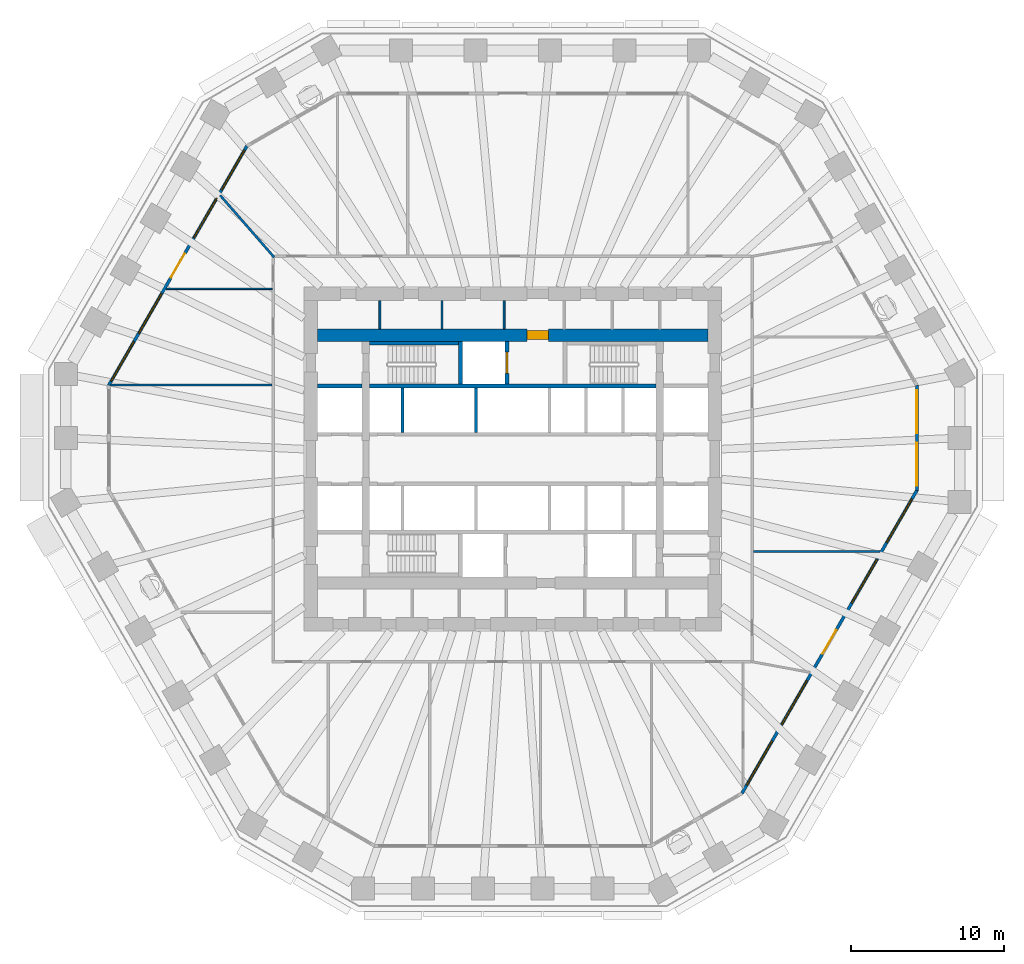
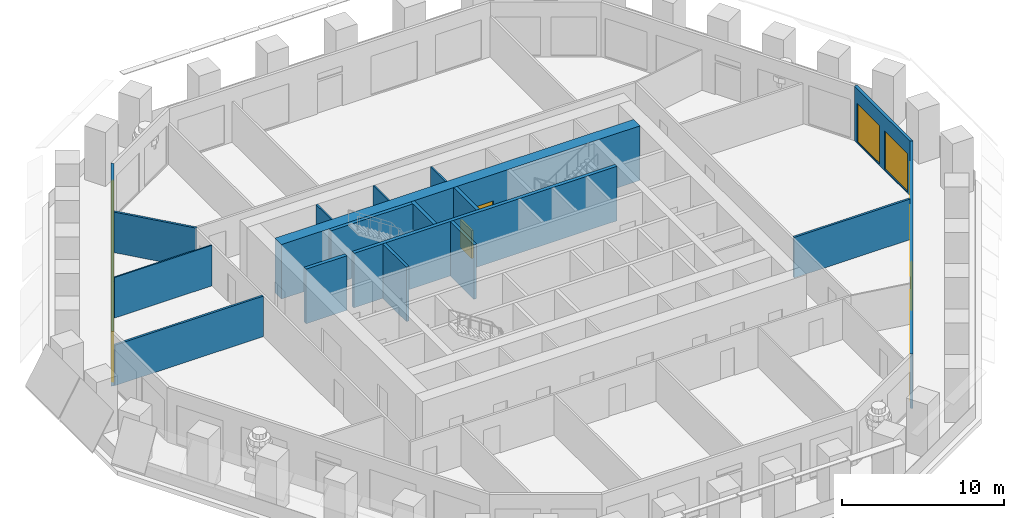
# One storey, part 6 of 12: 18 walls, 12 windows, 4 doors, 16 openings.
"""IFC4 building model written with IfcOpenShell, lengths in metres."""

from ifc_helpers import new_model, si_unit, direction, frame, frame_2d, origin, place, context, subcontext, project, spatial, polyline, rectangle, outline, extrude, material, layer, layer_set, type_object, element, fill, save


model = new_model("IFC4")

# Units and contexts
model_context = context("Model", 3, precision=1e-05, world=origin(), true_north=direction((0.0, 1.0)))
body_context = subcontext(model_context, "Body", "Model", "MODEL_VIEW")
ifc_project = project(units=[si_unit("LENGTHUNIT", "METRE"), si_unit("AREAUNIT", "SQUARE_METRE"), si_unit("VOLUMEUNIT", "CUBIC_METRE"), si_unit("PLANEANGLEUNIT", "RADIAN"), si_unit("MASSUNIT", "GRAM", prefix="KILO")], contexts=[model_context])

# Site, building, storey
site_placement = place(None, origin())
site = spatial("IfcSite", under=ifc_project, at=site_placement, CompositionType="ELEMENT")
building_placement = place(site_placement, origin())
building = spatial("IfcBuilding", under=site, at=building_placement, Name="Frailejon Research Tower", CompositionType="ELEMENT")
storey_placement = place(building_placement, frame((0.0, 0.0, 63.0)))
storey = spatial("IfcBuildingStorey", under=building, at=storey_placement, Name="L14", CompositionType="ELEMENT", Elevation=63.0)

# Walls
ifc_material_1 = material(Name="Plasterboard on steel studs", Category="steel")
ifc_layer_1 = layer(ifc_material_1, 0.125)
ifc_layer_set_1 = layer_set([ifc_layer_1], Name="Core partition 125")
wall_type_1 = type_object("IfcWallType", Name="Core partition 125", PredefinedType="PARTITIONING", material=ifc_layer_set_1)
for number, where, z_axis, x_axis, name in (
    (1, (-8.6875, 8.5, 0.0), (0.0, 0.0, 1.0), (0.0, 1.0, 0.0), "Core partition"),
    (2, (-4.625, 8.5, 0.0), (0.0, 0.0, 1.0), (0.0, 1.0, 0.0), "Core partition"),
    (3, (-0.5625, 8.5, 0.0), (0.0, 0.0, 1.0), (0.0, 1.0, 0.0), "Core partition"),
):
    element("IfcWall", number, at=place(storey_placement, frame(where, z_axis=z_axis, x_axis=x_axis)), inside=storey, type_object=wall_type_1, Name=name, PredefinedType="PARTITIONING", context=body_context, shape_type="SweptSolid", body=[
        extrude(rectangle(XDim=1.85009765625, YDim=0.125, at=frame_2d((0.925048828125, 0.0))), origin(), (0.0, 0.0, 1.0), 4.10009765625),
    ])

# Wall, opening, door
ifc_material_2 = material(Name="Concrete C70/85", Category="concrete")
ifc_layer_2 = layer(ifc_material_2, 0.800048828125)
ifc_layer_set_2 = layer_set([ifc_layer_2], Name="Core shear wall 800 C70/85")
wall_type_2 = type_object("IfcWallType", Name="Core shear wall 800 C70/85", PredefinedType="SHEAR", material=ifc_layer_set_2)
wall_1_placement = place(storey_placement, frame((-12.75, 8.10009765625, 0.0), z_axis=(0.0, 0.0, 1.0), x_axis=(1.0, 0.0, 0.0)))
wall_1 = element("IfcWall", 4, at=wall_1_placement, inside=storey, type_object=wall_type_2, Name="Core shear wall", PredefinedType="SHEAR", context=body_context, shape_type="SweptSolid", body=[
    extrude(rectangle(XDim=25.5, YDim=0.800048828125, at=frame_2d((12.75, 0.0))), origin(), (0.0, 0.0, 1.0), 4.10009765625),
])
opening_1_placement = place(wall_1_placement, frame((13.675048828125, 0.0, 0.0)))
opening_1 = element("IfcOpeningElement", 5, at=opening_1_placement, cuts=wall_1, Name="Opening D9", PredefinedType="OPENING", context=body_context, shape_type="SweptSolid", body=[
    extrude(rectangle(XDim=1.39990234375, YDim=2.10009765625, at=frame_2d((0.699951171875, 1.050048828125))), frame((0.0, 0.409912109375, 0.0), z_axis=(0.0, -1.0, 0.0), x_axis=(1.0, 0.0, 0.0)), (0.0, 0.0, 1.0), 0.820068359375),
])
ifc_material_3 = material(Name="Steel", Category="steel")
door_type_1 = type_object("IfcDoorType", Name="Goods lobby door", OperationType="DOUBLE_DOOR_SINGLE_SWING", PredefinedType="DOOR", material=ifc_material_3)
door_1_placement = place(opening_1_placement, origin())
door_1 = element("IfcDoor", 6, at=door_1_placement, inside=storey, type_object=door_type_1, Name="Goods lobby door", OperationType="DOUBLE_DOOR_SINGLE_SWING", OverallHeight=2.10009765625, OverallWidth=1.39990234375, PredefinedType="DOOR", context=body_context, shape_type="SweptSolid", body=[
    extrude(rectangle(XDim=1.39990234375, YDim=2.10009765625, at=frame_2d((0.699951171875, 1.050048828125))), frame((0.0, 0.300048828125, 0.0), z_axis=(0.0, -1.0, 0.0), x_axis=(1.0, 0.0, 0.0)), (0.0, 0.0, 1.0), 0.60009765625),
])
fill(opening_1, door_1)

# Walls
ifc_material_4 = material(Name="Gypsum board and masonry partition", Category="masonry")
ifc_layer_3 = layer(ifc_material_4, 0.14990234375)
ifc_layer_set_3 = layer_set([ifc_layer_3], Name="Laboratory partition, blockwork 150")
wall_type_3 = type_object("IfcWallType", Name="Laboratory partition, blockwork 150", PredefinedType="PARTITIONING", material=ifc_layer_set_3)
wall_2_placement = place(storey_placement, frame((15.72509765625, -6.048828125, 0.0), z_axis=(0.0, 0.0, 1.0), x_axis=(1.0, 0.0, 0.0)))
element("IfcWall", 7, at=wall_2_placement, inside=storey, type_object=wall_type_3, Name="T:IW:L14:006", PredefinedType="PARTITIONING", context=body_context, shape_type="SweptSolid", body=[
    extrude(rectangle(XDim=8.264404296875, YDim=0.14990234375, at=frame_2d((4.13232421875, 0.0))), origin(), (0.0, 0.0, 1.0), 3.050048828125),
])
wall_3_placement = place(storey_placement, frame((-19.125732421875, 17.23876953125, 0.0), z_axis=(0.0, 0.0, 1.0), x_axis=(0.65698603945, -0.753902741717, 0.0)))
element("IfcWall", 8, at=wall_3_placement, inside=storey, type_object=wall_type_3, Name="T:IW:L14:010", PredefinedType="PARTITIONING", context=body_context, shape_type="SweptSolid", body=[
    extrude(rectangle(XDim=5.36572265625, YDim=0.14990234375, at=frame_2d((2.682861328125, 0.0))), origin(), (0.0, 0.0, 1.0), 3.050048828125),
])
wall_4_placement = place(storey_placement, frame((-26.2802734375, 4.846923828125, 0.0), z_axis=(0.0, 0.0, 1.0), x_axis=(1.0, 0.0, 0.0)))
element("IfcWall", 9, at=wall_4_placement, inside=storey, type_object=wall_type_3, Name="T:IW:L14:011", PredefinedType="PARTITIONING", context=body_context, shape_type="SweptSolid", body=[
    extrude(rectangle(XDim=10.55517578125, YDim=0.14990234375, at=frame_2d((5.277587890625, 0.0))), origin(), (0.0, 0.0, 1.0), 3.050048828125),
])
ifc_material_5 = material(Name="Gypsum board and masonry partition", Category="masonry")
ifc_layer_4 = layer(ifc_material_5, 0.10009765625)
ifc_layer_set_4 = layer_set([ifc_layer_4], Name="Partition, gypsum on steel studs 100")
wall_type_4 = type_object("IfcWallType", Name="Partition, gypsum on steel studs 100", PredefinedType="PARTITIONING", material=ifc_layer_set_4)
wall_5_placement = place(storey_placement, frame((-22.656982421875, 11.12255859375, 0.0), z_axis=(0.0, 0.0, 1.0), x_axis=(1.0, 0.0, 0.0)))
element("IfcWall", 10, at=wall_5_placement, inside=storey, type_object=wall_type_4, Name="T:IW:L14:017", PredefinedType="PARTITIONING", context=body_context, shape_type="SweptSolid", body=[
    extrude(rectangle(XDim=6.931884765625, YDim=0.10009765625, at=frame_2d((3.4658203125, 0.0))), origin(), (0.0, 0.0, 1.0), 3.050048828125),
])
ifc_material_6 = material(Name="Concrete C70/85", Category="concrete")
ifc_layer_5 = layer(ifc_material_6, 0.199951171875)
ifc_layer_set_5 = layer_set([ifc_layer_5], Name="Shaft wall 200 C70/85")
wall_type_5 = type_object("IfcWallType", Name="Shaft wall 200 C70/85", PredefinedType="SOLIDWALL", material=ifc_layer_set_5)
for number, where, z_axis, x_axis, name in (
    (11, (-7.199951171875, 1.75, 0.0), (0.0, 0.0, 1.0), (0.0, 1.0, 0.0), "Shaft wall"),
    (12, (-2.39990234375, 1.75, 0.0), (0.0, 0.0, 1.0), (0.0, 1.0, 0.0), "Shaft wall"),
):
    element("IfcWall", number, at=place(storey_placement, frame(where, z_axis=z_axis, x_axis=x_axis)), inside=storey, type_object=wall_type_5, Name=name, PredefinedType="SOLIDWALL", context=body_context, shape_type="SweptSolid", body=[
        extrude(rectangle(XDim=2.89990234375, YDim=0.199951171875, at=frame_2d((1.449951171875, 0.0))), origin(), (0.0, 0.0, 1.0), 4.10009765625),
    ])
ifc_material_7 = material(Name="Concrete C70/85", Category="concrete")
ifc_layer_6 = layer(ifc_material_7, 0.25)
ifc_layer_set_6 = layer_set([ifc_layer_6], Name="Shaft wall 250 C70/85")
wall_type_6 = type_object("IfcWallType", Name="Shaft wall 250 C70/85", PredefinedType="SOLIDWALL", material=ifc_layer_set_6)
wall_6_placement = place(storey_placement, frame((-12.75, 4.77490234375, 0.0), z_axis=(0.0, 0.0, 1.0), x_axis=(1.0, 0.0, 0.0)))
element("IfcWall", 13, at=wall_6_placement, inside=storey, type_object=wall_type_6, Name="Shaft wall", PredefinedType="SOLIDWALL", context=body_context, shape_type="SweptSolid", body=[
    extrude(rectangle(XDim=2.89990234375, YDim=0.25, at=frame_2d((1.449951171875, 0.0))), origin(), (0.0, 0.0, 1.0), 4.10009765625),
])
wall_7_placement = place(storey_placement, frame((-9.35009765625, 4.77490234375, 0.0), z_axis=(0.0, 0.0, 1.0), x_axis=(1.0, 0.0, 0.0)))
element("IfcWall", 14, at=wall_7_placement, inside=storey, type_object=wall_type_6, Name="Shaft wall", PredefinedType="SOLIDWALL", context=body_context, shape_type="SweptSolid", body=[
    extrude(rectangle(XDim=18.7001953125, YDim=0.25, at=frame_2d((9.35009765625, 0.0))), origin(), (0.0, 0.0, 1.0), 4.10009765625),
])
wall_8_placement = place(storey_placement, frame((-9.35009765625, 7.574951171875, 0.0), z_axis=(0.0, 0.0, 1.0), x_axis=(1.0, 0.0, 0.0)))
element("IfcWall", 15, at=wall_8_placement, inside=storey, type_object=wall_type_6, Name="Shaft wall", PredefinedType="SOLIDWALL", context=body_context, shape_type="SweptSolid", body=[
    extrude(rectangle(XDim=5.800048828125, YDim=0.25, at=frame_2d((2.89990234375, 0.0))), origin(), (0.0, 0.0, 1.0), 4.10009765625),
])
wall_9_placement = place(storey_placement, frame((-3.425048828125, 4.89990234375, 0.0), z_axis=(0.0, 0.0, 1.0), x_axis=(0.0, 1.0, 0.0)))
element("IfcWall", 16, at=wall_9_placement, inside=storey, type_object=wall_type_6, Name="Shaft wall", PredefinedType="SOLIDWALL", context=body_context, shape_type="SweptSolid", body=[
    extrude(rectangle(XDim=2.800048828125, YDim=0.25, at=frame_2d((1.39990234375, 0.0))), origin(), (0.0, 0.0, 1.0), 4.10009765625),
])

# Wall, opening, door
wall_10_placement = place(storey_placement, frame((-0.375, 4.89990234375, 0.0), z_axis=(0.0, 0.0, 1.0), x_axis=(0.0, 1.0, 0.0)))
wall_10 = element("IfcWall", 17, at=wall_10_placement, inside=storey, type_object=wall_type_6, Name="Shaft wall", PredefinedType="SOLIDWALL", context=body_context, shape_type="SweptSolid", body=[
    extrude(rectangle(XDim=2.800048828125, YDim=0.25, at=frame_2d((1.39990234375, 0.0))), origin(), (0.0, 0.0, 1.0), 4.10009765625),
])
opening_2_placement = place(wall_10_placement, frame((0.699951171875, 0.0, 0.0)))
opening_2 = element("IfcOpeningElement", 18, at=opening_2_placement, cuts=wall_10, Name="Opening LD2", PredefinedType="OPENING", context=body_context, shape_type="SweptSolid", body=[
    extrude(rectangle(XDim=1.39990234375, YDim=2.10009765625, at=frame_2d((0.699951171875, 1.050048828125))), frame((0.0, 0.135009765625, 0.0), z_axis=(0.0, -1.0, 0.0), x_axis=(1.0, 0.0, 0.0)), (0.0, 0.0, 1.0), 0.27001953125),
])
ifc_material_8 = material(Name="Stainless steel", Category="steel")
door_type_2 = type_object("IfcDoorType", Name="Goods landing door", OperationType="DOUBLE_DOOR_SLIDING", PredefinedType="DOOR", material=ifc_material_8)
door_2_placement = place(opening_2_placement, origin())
door_2 = element("IfcDoor", 19, at=door_2_placement, inside=storey, type_object=door_type_2, Name="Lift landing door", OperationType="DOUBLE_DOOR_SLIDING", OverallHeight=2.10009765625, OverallWidth=1.39990234375, PredefinedType="DOOR", context=body_context, shape_type="SweptSolid", body=[
    extrude(rectangle(XDim=1.39990234375, YDim=2.10009765625, at=frame_2d((0.699951171875, 1.050048828125))), frame((0.0, 0.074951171875, 0.0), z_axis=(0.0, -1.0, 0.0), x_axis=(1.0, 0.0, 0.0)), (0.0, 0.0, 1.0), 0.14990234375),
])
fill(opening_2, door_2)

# Wall, openings, windows
ifc_material_9 = material(Name="Concrete C40/50 precast window wall panel", Category="concrete")
ifc_layer_7 = layer(ifc_material_9, 0.199951171875)
ifc_layer_set_7 = layer_set([ifc_layer_7], Name="Window wall 200")
wall_type_7 = type_object("IfcWallType", Name="Window wall 200", PredefinedType="SOLIDWALL", material=ifc_layer_set_7)
wall_11_placement = place(storey_placement, frame((26.4111328125, -2.0546875, 0.0), z_axis=(0.0, 0.0, 1.0), x_axis=(0.0, 1.0, 0.0)))
wall_11 = element("IfcWall", 20, at=wall_11_placement, inside=storey, type_object=wall_type_7, Name="Exterior wall L14", PredefinedType="SOLIDWALL", context=body_context, shape_type="SweptSolid", body=[
    extrude(outline(polyline([(-0.02685546875, -0.10009765625), (1.1279296875, -0.10009765625), (2.28271484375, -0.10009765625), (3.4375, -0.10009765625), (4.592041015625, -0.10009765625), (5.746826171875, -0.10009765625), (6.901611328125, -0.10009765625), (6.847900390625, 0.10009765625), (5.7109375, 0.10009765625), (4.57421875, 0.10009765625), (3.4375, 0.10009765625), (2.300537109375, 0.10009765625), (1.16357421875, 0.10009765625), (0.02685546875, 0.10009765625), (-0.02685546875, -0.10009765625)])), origin(), (0.0, 0.0, 1.0), 4.10009765625),
])
opening_3_placement = place(wall_11_placement, frame((0.318603515625, 0.0, 0.10009765625)))
opening_3 = element("IfcOpeningElement", 21, at=opening_3_placement, cuts=wall_11, Name="Opening W3", PredefinedType="OPENING", context=body_context, shape_type="SweptSolid", body=[
    extrude(rectangle(XDim=2.800048828125, YDim=2.89990234375, at=frame_2d((1.39990234375, 1.449951171875))), frame((0.0, 0.10986328125, 0.0), z_axis=(0.0, -1.0, 0.0), x_axis=(1.0, 0.0, 0.0)), (0.0, 0.0, 1.0), 0.219970703125),
])
opening_4_placement = place(wall_11_placement, frame((3.756103515625, 0.0, 0.10009765625)))
opening_4 = element("IfcOpeningElement", 22, at=opening_4_placement, cuts=wall_11, Name="Opening W3", PredefinedType="OPENING", context=body_context, shape_type="SweptSolid", body=[
    extrude(rectangle(XDim=2.800048828125, YDim=2.89990234375, at=frame_2d((1.39990234375, 1.449951171875))), frame((0.0, 0.10986328125, 0.0), z_axis=(0.0, -1.0, 0.0), x_axis=(1.0, 0.0, 0.0)), (0.0, 0.0, 1.0), 0.219970703125),
])
ifc_material_10 = material(Name="Aluminium framed double glazing", Category="aluminium")
window_type_1 = type_object("IfcWindowType", Name="Window 2800x2900", PartitioningType="SINGLE_PANEL", PredefinedType="WINDOW", material=ifc_material_10)
window_1_placement = place(opening_3_placement, origin())
window_1 = element("IfcWindow", 23, at=window_1_placement, inside=storey, type_object=window_type_1, Name="Window L14", OverallHeight=2.89990234375, OverallWidth=2.800048828125, PartitioningType="SINGLE_PANEL", PredefinedType="WINDOW", context=body_context, shape_type="SweptSolid", body=[
    extrude(rectangle(XDim=2.800048828125, YDim=2.89990234375, at=frame_2d((1.39990234375, 1.449951171875))), frame((0.0, 0.030029296875, 0.0), z_axis=(0.0, -1.0, 0.0), x_axis=(1.0, 0.0, 0.0)), (0.0, 0.0, 1.0), 0.06005859375),
])
fill(opening_3, window_1)
window_2_placement = place(opening_4_placement, origin())
window_2 = element("IfcWindow", 24, at=window_2_placement, inside=storey, type_object=window_type_1, Name="Window L14", OverallHeight=2.89990234375, OverallWidth=2.800048828125, PartitioningType="SINGLE_PANEL", PredefinedType="WINDOW", context=body_context, shape_type="SweptSolid", body=[
    extrude(rectangle(XDim=2.800048828125, YDim=2.89990234375, at=frame_2d((1.39990234375, 1.449951171875))), frame((0.0, 0.030029296875, 0.0), z_axis=(0.0, -1.0, 0.0), x_axis=(1.0, 0.0, 0.0)), (0.0, 0.0, 1.0), 0.06005859375),
])
fill(opening_4, window_2)

# Wall, openings, door, windows
wall_12_placement = place(storey_placement, frame((-17.3798828125, 20.462646484375, 0.0), z_axis=(0.0, 0.0, 1.0), x_axis=(-0.500000137386, -0.866025324465, 0.0)))
wall_12 = element("IfcWall", 25, at=wall_12_placement, inside=storey, type_object=wall_type_7, Name="Exterior wall L14", PredefinedType="SOLIDWALL", context=body_context, shape_type="SweptSolid", body=[
    extrude(outline(polyline([(-0.02685546875, -0.10009765625), (0.9794921875, -0.10009765625), (1.986083984375, -0.10009765625), (2.992431640625, -0.10009765625), (3.9990234375, -0.10009765625), (5.00537109375, -0.10009765625), (6.011962890625, -0.10009765625), (7.018310546875, -0.10009765625), (8.02490234375, -0.10009765625), (9.03125, -0.10009765625), (10.03759765625, -0.10009765625), (11.044189453125, -0.10009765625), (12.050537109375, -0.10009765625), (13.05712890625, -0.10009765625), (14.0634765625, -0.10009765625), (15.070068359375, -0.10009765625), (16.076416015625, -0.10009765625), (17.0830078125, -0.10009765625), (18.08935546875, -0.10009765625), (18.03564453125, 0.10009765625), (17.03515625, 0.10009765625), (16.03466796875, 0.10009765625), (15.0341796875, 0.10009765625), (14.03369140625, 0.10009765625), (13.033203125, 0.10009765625), (12.03271484375, 0.10009765625), (11.0322265625, 0.10009765625), (10.03173828125, 0.10009765625), (9.03125, 0.10009765625), (8.03076171875, 0.10009765625), (7.0302734375, 0.10009765625), (6.02978515625, 0.10009765625), (5.029296875, 0.10009765625), (4.02880859375, 0.10009765625), (3.0283203125, 0.10009765625), (2.02783203125, 0.10009765625), (1.02734375, 0.10009765625), (0.02685546875, 0.10009765625), (-0.02685546875, -0.10009765625)])), origin(), (0.0, 0.0, 1.0), 4.10009765625),
])
opening_5_placement = place(wall_12_placement, frame((0.306396484375, 0.0, 0.10009765625)))
opening_5 = element("IfcOpeningElement", 26, at=opening_5_placement, cuts=wall_12, Name="Opening W4", PredefinedType="OPENING", context=body_context, shape_type="SweptSolid", body=[
    extrude(rectangle(XDim=3.0, YDim=2.89990234375, at=frame_2d((1.5, 1.449951171875))), frame((0.0, 0.10986328125, 0.0), z_axis=(0.0, -1.0, 0.0), x_axis=(1.0, 0.0, 0.0)), (0.0, 0.0, 1.0), 0.219970703125),
])
opening_6_placement = place(wall_12_placement, frame((3.918701171875, 0.0, 0.10009765625)))
opening_6 = element("IfcOpeningElement", 27, at=opening_6_placement, cuts=wall_12, Name="Opening W4", PredefinedType="OPENING", context=body_context, shape_type="SweptSolid", body=[
    extrude(rectangle(XDim=3.0, YDim=2.89990234375, at=frame_2d((1.5, 1.449951171875))), frame((0.0, 0.10986328125, 0.0), z_axis=(0.0, -1.0, 0.0), x_axis=(1.0, 0.0, 0.0)), (0.0, 0.0, 1.0), 0.219970703125),
])
opening_7_placement = place(wall_12_placement, frame((8.13134765625, 0.0, 0.0)))
opening_7 = element("IfcOpeningElement", 28, at=opening_7_placement, cuts=wall_12, Name="Opening LG14-3", PredefinedType="OPENING", context=body_context, shape_type="SweptSolid", body=[
    extrude(rectangle(XDim=1.800048828125, YDim=2.39990234375, at=frame_2d((0.89990234375, 1.199951171875))), frame((0.0, 0.10986328125, 0.0), z_axis=(0.0, -1.0, 0.0), x_axis=(1.0, 0.0, 0.0)), (0.0, 0.0, 1.0), 0.219970703125),
])
opening_8_placement = place(wall_12_placement, frame((8.13134765625, 0.0, 2.550048828125)))
opening_8 = element("IfcOpeningElement", 29, at=opening_8_placement, cuts=wall_12, Name="Opening W1", PredefinedType="OPENING", context=body_context, shape_type="SweptSolid", body=[
    extrude(rectangle(XDim=1.800048828125, YDim=0.449951171875, at=frame_2d((0.89990234375, 0.22509765625))), frame((0.0, 0.10986328125, 0.0), z_axis=(0.0, -1.0, 0.0), x_axis=(1.0, 0.0, 0.0)), (0.0, 0.0, 1.0), 0.219970703125),
])
opening_9_placement = place(wall_12_placement, frame((11.143798828125, 0.0, 0.10009765625)))
opening_9 = element("IfcOpeningElement", 30, at=opening_9_placement, cuts=wall_12, Name="Opening W4", PredefinedType="OPENING", context=body_context, shape_type="SweptSolid", body=[
    extrude(rectangle(XDim=3.0, YDim=2.89990234375, at=frame_2d((1.5, 1.449951171875))), frame((0.0, 0.10986328125, 0.0), z_axis=(0.0, -1.0, 0.0), x_axis=(1.0, 0.0, 0.0)), (0.0, 0.0, 1.0), 0.219970703125),
])
opening_10_placement = place(wall_12_placement, frame((14.75634765625, 0.0, 0.10009765625)))
opening_10 = element("IfcOpeningElement", 31, at=opening_10_placement, cuts=wall_12, Name="Opening W4", PredefinedType="OPENING", context=body_context, shape_type="SweptSolid", body=[
    extrude(rectangle(XDim=3.0, YDim=2.89990234375, at=frame_2d((1.5, 1.449951171875))), frame((0.0, 0.10986328125, 0.0), z_axis=(0.0, -1.0, 0.0), x_axis=(1.0, 0.0, 0.0)), (0.0, 0.0, 1.0), 0.219970703125),
])
ifc_material_11 = material(Name="Aluminium framed glazed door leaf", Category="aluminium")
door_type_3 = type_object("IfcDoorType", Name="Loggia door 1800x2400", OperationType="DOUBLE_DOOR_SINGLE_SWING", PredefinedType="DOOR", material=ifc_material_11)
door_3_placement = place(opening_7_placement, origin())
door_3 = element("IfcDoor", 32, at=door_3_placement, inside=storey, type_object=door_type_3, Name="Door LG14-3", OperationType="DOUBLE_DOOR_SINGLE_SWING", OverallHeight=2.39990234375, OverallWidth=1.800048828125, PredefinedType="DOOR", context=body_context, shape_type="SweptSolid", body=[
    extrude(rectangle(XDim=1.800048828125, YDim=2.39990234375, at=frame_2d((0.89990234375, 1.199951171875))), frame((0.0, 0.02490234375, 0.0), z_axis=(0.0, -1.0, 0.0), x_axis=(1.0, 0.0, 0.0)), (0.0, 0.0, 1.0), 0.050048828125),
])
fill(opening_7, door_3)
ifc_material_12 = material(Name="Aluminium framed double glazing", Category="aluminium")
window_type_2 = type_object("IfcWindowType", Name="Window 1800x450", PartitioningType="SINGLE_PANEL", PredefinedType="WINDOW", material=ifc_material_12)
window_3_placement = place(opening_8_placement, origin())
window_3 = element("IfcWindow", 33, at=window_3_placement, inside=storey, type_object=window_type_2, Name="Window L14", OverallHeight=0.449951171875, OverallWidth=1.800048828125, PartitioningType="SINGLE_PANEL", PredefinedType="WINDOW", context=body_context, shape_type="SweptSolid", body=[
    extrude(rectangle(XDim=1.800048828125, YDim=0.449951171875, at=frame_2d((0.89990234375, 0.22509765625))), frame((0.0, 0.030029296875, 0.0), z_axis=(0.0, -1.0, 0.0), x_axis=(1.0, 0.0, 0.0)), (0.0, 0.0, 1.0), 0.06005859375),
])
fill(opening_8, window_3)
ifc_material_13 = material(Name="Aluminium framed double glazing", Category="aluminium")
window_type_3 = type_object("IfcWindowType", Name="Window 3000x2900", PartitioningType="SINGLE_PANEL", PredefinedType="WINDOW", material=ifc_material_13)
window_4_placement = place(opening_5_placement, origin())
window_4 = element("IfcWindow", 34, at=window_4_placement, inside=storey, type_object=window_type_3, Name="Window L14", OverallHeight=2.89990234375, OverallWidth=3.0, PartitioningType="SINGLE_PANEL", PredefinedType="WINDOW", context=body_context, shape_type="SweptSolid", body=[
    extrude(rectangle(XDim=3.0, YDim=2.89990234375, at=frame_2d((1.5, 1.449951171875))), frame((0.0, 0.030029296875, 0.0), z_axis=(0.0, -1.0, 0.0), x_axis=(1.0, 0.0, 0.0)), (0.0, 0.0, 1.0), 0.06005859375),
])
fill(opening_5, window_4)
window_5_placement = place(opening_6_placement, origin())
window_5 = element("IfcWindow", 35, at=window_5_placement, inside=storey, type_object=window_type_3, Name="Window L14", OverallHeight=2.89990234375, OverallWidth=3.0, PartitioningType="SINGLE_PANEL", PredefinedType="WINDOW", context=body_context, shape_type="SweptSolid", body=[
    extrude(rectangle(XDim=3.0, YDim=2.89990234375, at=frame_2d((1.5, 1.449951171875))), frame((0.0, 0.030029296875, 0.0), z_axis=(0.0, -1.0, 0.0), x_axis=(1.0, 0.0, 0.0)), (0.0, 0.0, 1.0), 0.06005859375),
])
fill(opening_6, window_5)
window_6_placement = place(opening_9_placement, origin())
window_6 = element("IfcWindow", 36, at=window_6_placement, inside=storey, type_object=window_type_3, Name="Window L14", OverallHeight=2.89990234375, OverallWidth=3.0, PartitioningType="SINGLE_PANEL", PredefinedType="WINDOW", context=body_context, shape_type="SweptSolid", body=[
    extrude(rectangle(XDim=3.0, YDim=2.89990234375, at=frame_2d((1.5, 1.449951171875))), frame((0.0, 0.030029296875, 0.0), z_axis=(0.0, -1.0, 0.0), x_axis=(1.0, 0.0, 0.0)), (0.0, 0.0, 1.0), 0.06005859375),
])
fill(opening_9, window_6)
window_7_placement = place(opening_10_placement, origin())
window_7 = element("IfcWindow", 37, at=window_7_placement, inside=storey, type_object=window_type_3, Name="Window L14", OverallHeight=2.89990234375, OverallWidth=3.0, PartitioningType="SINGLE_PANEL", PredefinedType="WINDOW", context=body_context, shape_type="SweptSolid", body=[
    extrude(rectangle(XDim=3.0, YDim=2.89990234375, at=frame_2d((1.5, 1.449951171875))), frame((0.0, 0.030029296875, 0.0), z_axis=(0.0, -1.0, 0.0), x_axis=(1.0, 0.0, 0.0)), (0.0, 0.0, 1.0), 0.06005859375),
])
fill(opening_10, window_7)

wall_13_placement = place(storey_placement, frame((14.98486328125, -21.845458984375, 0.0), z_axis=(0.0, 0.0, 1.0), x_axis=(0.50000204422, 0.86602422355, 0.0)))
wall_13 = element("IfcWall", 38, at=wall_13_placement, inside=storey, type_object=wall_type_7, Name="Exterior wall L14", PredefinedType="SOLIDWALL", context=body_context, shape_type="SweptSolid", body=[
    extrude(outline(polyline([(-0.02685546875, -0.10009765625), (1.014404296875, -0.10009765625), (2.055419921875, -0.10009765625), (3.0966796875, -0.10009765625), (4.137939453125, -0.10009765625), (5.17919921875, -0.10009765625), (6.22021484375, -0.10009765625), (7.261474609375, -0.10009765625), (8.302734375, -0.10009765625), (9.343994140625, -0.10009765625), (10.385009765625, -0.10009765625), (11.42626953125, -0.10009765625), (12.467529296875, -0.10009765625), (13.508544921875, -0.10009765625), (14.5498046875, -0.10009765625), (15.591064453125, -0.10009765625), (16.63232421875, -0.10009765625), (17.67333984375, -0.10009765625), (18.714599609375, -0.10009765625), (19.755859375, -0.10009765625), (20.797119140625, -0.10009765625), (21.838134765625, -0.10009765625), (22.87939453125, -0.10009765625), (22.82568359375, 0.10009765625), (21.789306640625, 0.10009765625), (20.753173828125, 0.10009765625), (19.716796875, 0.10009765625), (18.680419921875, 0.10009765625), (17.64404296875, 0.10009765625), (16.60791015625, 0.10009765625), (15.571533203125, 0.10009765625), (14.53515625, 0.10009765625), (13.498779296875, 0.10009765625), (12.462646484375, 0.10009765625), (11.42626953125, 0.10009765625), (10.389892578125, 0.10009765625), (9.353759765625, 0.10009765625), (8.3173828125, 0.10009765625), (7.281005859375, 0.10009765625), (6.24462890625, 0.10009765625), (5.20849609375, 0.10009765625), (4.172119140625, 0.10009765625), (3.1357421875, 0.10009765625), (2.099365234375, 0.10009765625), (1.063232421875, 0.10009765625), (0.02685546875, 0.10009765625), (-0.02685546875, -0.10009765625)])), origin(), (0.0, 0.0, 1.0), 4.10009765625),
])
opening_11_placement = place(wall_13_placement, frame((0.63525390625, 0.0, 0.10009765625)))
opening_11 = element("IfcOpeningElement", 39, at=opening_11_placement, cuts=wall_13, Name="Opening W5", PredefinedType="OPENING", context=body_context, shape_type="SweptSolid", body=[
    extrude(rectangle(XDim=3.300048828125, YDim=2.89990234375, at=frame_2d((1.64990234375, 1.449951171875))), frame((0.0, 0.10986328125, 0.0), z_axis=(0.0, -1.0, 0.0), x_axis=(1.0, 0.0, 0.0)), (0.0, 0.0, 1.0), 0.219970703125),
])
opening_12_placement = place(wall_13_placement, frame((5.205810546875, 0.0, 0.10009765625)))
opening_12 = element("IfcOpeningElement", 40, at=opening_12_placement, cuts=wall_13, Name="Opening W5", PredefinedType="OPENING", context=body_context, shape_type="SweptSolid", body=[
    extrude(rectangle(XDim=3.300048828125, YDim=2.89990234375, at=frame_2d((1.64990234375, 1.449951171875))), frame((0.0, 0.10986328125, 0.0), z_axis=(0.0, -1.0, 0.0), x_axis=(1.0, 0.0, 0.0)), (0.0, 0.0, 1.0), 0.219970703125),
])
opening_13_placement = place(wall_13_placement, frame((10.5263671875, 0.0, 0.0)))
opening_13 = element("IfcOpeningElement", 41, at=opening_13_placement, cuts=wall_13, Name="Opening LG14-6", PredefinedType="OPENING", context=body_context, shape_type="SweptSolid", body=[
    extrude(rectangle(XDim=1.800048828125, YDim=2.39990234375, at=frame_2d((0.89990234375, 1.199951171875))), frame((0.0, 0.10986328125, 0.0), z_axis=(0.0, -1.0, 0.0), x_axis=(1.0, 0.0, 0.0)), (0.0, 0.0, 1.0), 0.219970703125),
])
opening_14_placement = place(wall_13_placement, frame((10.5263671875, 0.0, 2.550048828125)))
opening_14 = element("IfcOpeningElement", 42, at=opening_14_placement, cuts=wall_13, Name="Opening W1", PredefinedType="OPENING", context=body_context, shape_type="SweptSolid", body=[
    extrude(rectangle(XDim=1.800048828125, YDim=0.449951171875, at=frame_2d((0.89990234375, 0.22509765625))), frame((0.0, 0.10986328125, 0.0), z_axis=(0.0, -1.0, 0.0), x_axis=(1.0, 0.0, 0.0)), (0.0, 0.0, 1.0), 0.219970703125),
])
opening_15_placement = place(wall_13_placement, frame((14.3466796875, 0.0, 0.10009765625)))
opening_15 = element("IfcOpeningElement", 43, at=opening_15_placement, cuts=wall_13, Name="Opening W5", PredefinedType="OPENING", context=body_context, shape_type="SweptSolid", body=[
    extrude(rectangle(XDim=3.300048828125, YDim=2.89990234375, at=frame_2d((1.64990234375, 1.449951171875))), frame((0.0, 0.10986328125, 0.0), z_axis=(0.0, -1.0, 0.0), x_axis=(1.0, 0.0, 0.0)), (0.0, 0.0, 1.0), 0.219970703125),
])
opening_16_placement = place(wall_13_placement, frame((18.917236328125, 0.0, 0.10009765625)))
opening_16 = element("IfcOpeningElement", 44, at=opening_16_placement, cuts=wall_13, Name="Opening W5", PredefinedType="OPENING", context=body_context, shape_type="SweptSolid", body=[
    extrude(rectangle(XDim=3.300048828125, YDim=2.89990234375, at=frame_2d((1.64990234375, 1.449951171875))), frame((0.0, 0.10986328125, 0.0), z_axis=(0.0, -1.0, 0.0), x_axis=(1.0, 0.0, 0.0)), (0.0, 0.0, 1.0), 0.219970703125),
])
door_4_placement = place(opening_13_placement, origin())
door_4 = element("IfcDoor", 45, at=door_4_placement, inside=storey, type_object=door_type_3, Name="Door LG14-6", OperationType="DOUBLE_DOOR_SINGLE_SWING", OverallHeight=2.39990234375, OverallWidth=1.800048828125, PredefinedType="DOOR", context=body_context, shape_type="SweptSolid", body=[
    extrude(rectangle(XDim=1.800048828125, YDim=2.39990234375, at=frame_2d((0.89990234375, 1.199951171875))), frame((0.0, 0.02490234375, 0.0), z_axis=(0.0, -1.0, 0.0), x_axis=(1.0, 0.0, 0.0)), (0.0, 0.0, 1.0), 0.050048828125),
])
fill(opening_13, door_4)
window_8_placement = place(opening_14_placement, origin())
window_8 = element("IfcWindow", 46, at=window_8_placement, inside=storey, type_object=window_type_2, Name="Window L14", OverallHeight=0.449951171875, OverallWidth=1.800048828125, PartitioningType="SINGLE_PANEL", PredefinedType="WINDOW", context=body_context, shape_type="SweptSolid", body=[
    extrude(rectangle(XDim=1.800048828125, YDim=0.449951171875, at=frame_2d((0.89990234375, 0.22509765625))), frame((0.0, 0.030029296875, 0.0), z_axis=(0.0, -1.0, 0.0), x_axis=(1.0, 0.0, 0.0)), (0.0, 0.0, 1.0), 0.06005859375),
])
fill(opening_14, window_8)
ifc_material_14 = material(Name="Aluminium framed double glazing", Category="aluminium")
window_type_4 = type_object("IfcWindowType", Name="Window 3300x2900", PartitioningType="SINGLE_PANEL", PredefinedType="WINDOW", material=ifc_material_14)
window_9_placement = place(opening_11_placement, origin())
window_9 = element("IfcWindow", 47, at=window_9_placement, inside=storey, type_object=window_type_4, Name="Window L14", OverallHeight=2.89990234375, OverallWidth=3.300048828125, PartitioningType="SINGLE_PANEL", PredefinedType="WINDOW", context=body_context, shape_type="SweptSolid", body=[
    extrude(rectangle(XDim=3.300048828125, YDim=2.89990234375, at=frame_2d((1.64990234375, 1.449951171875))), frame((0.0, 0.030029296875, 0.0), z_axis=(0.0, -1.0, 0.0), x_axis=(1.0, 0.0, 0.0)), (0.0, 0.0, 1.0), 0.06005859375),
])
fill(opening_11, window_9)
window_10_placement = place(opening_12_placement, origin())
window_10 = element("IfcWindow", 48, at=window_10_placement, inside=storey, type_object=window_type_4, Name="Window L14", OverallHeight=2.89990234375, OverallWidth=3.300048828125, PartitioningType="SINGLE_PANEL", PredefinedType="WINDOW", context=body_context, shape_type="SweptSolid", body=[
    extrude(rectangle(XDim=3.300048828125, YDim=2.89990234375, at=frame_2d((1.64990234375, 1.449951171875))), frame((0.0, 0.030029296875, 0.0), z_axis=(0.0, -1.0, 0.0), x_axis=(1.0, 0.0, 0.0)), (0.0, 0.0, 1.0), 0.06005859375),
])
fill(opening_12, window_10)
window_11_placement = place(opening_15_placement, origin())
window_11 = element("IfcWindow", 49, at=window_11_placement, inside=storey, type_object=window_type_4, Name="Window L14", OverallHeight=2.89990234375, OverallWidth=3.300048828125, PartitioningType="SINGLE_PANEL", PredefinedType="WINDOW", context=body_context, shape_type="SweptSolid", body=[
    extrude(rectangle(XDim=3.300048828125, YDim=2.89990234375, at=frame_2d((1.64990234375, 1.449951171875))), frame((0.0, 0.030029296875, 0.0), z_axis=(0.0, -1.0, 0.0), x_axis=(1.0, 0.0, 0.0)), (0.0, 0.0, 1.0), 0.06005859375),
])
fill(opening_15, window_11)
window_12_placement = place(opening_16_placement, origin())
window_12 = element("IfcWindow", 50, at=window_12_placement, inside=storey, type_object=window_type_4, Name="Window L14", OverallHeight=2.89990234375, OverallWidth=3.300048828125, PartitioningType="SINGLE_PANEL", PredefinedType="WINDOW", context=body_context, shape_type="SweptSolid", body=[
    extrude(rectangle(XDim=3.300048828125, YDim=2.89990234375, at=frame_2d((1.64990234375, 1.449951171875))), frame((0.0, 0.030029296875, 0.0), z_axis=(0.0, -1.0, 0.0), x_axis=(1.0, 0.0, 0.0)), (0.0, 0.0, 1.0), 0.06005859375),
])
fill(opening_16, window_12)

save(model, "model.ifc")
